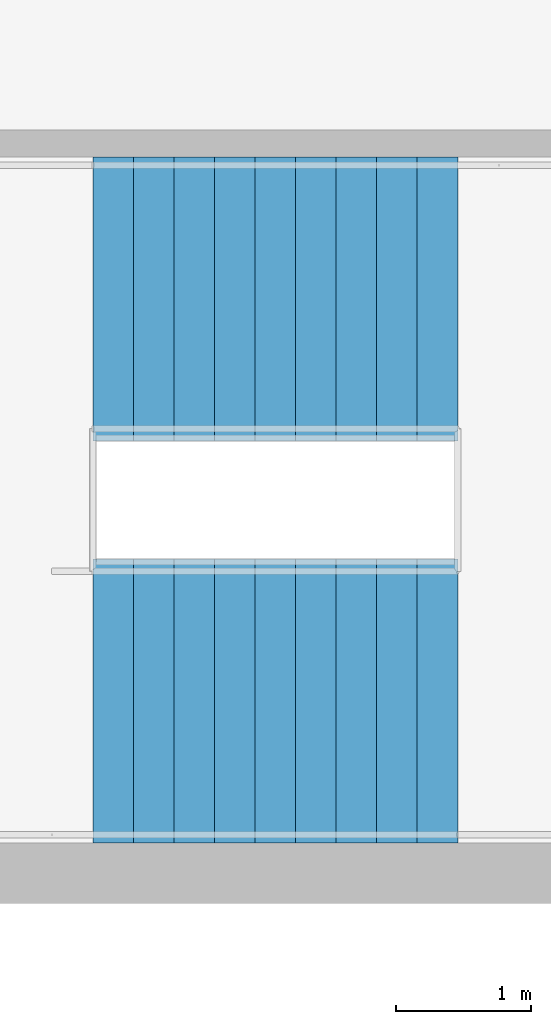
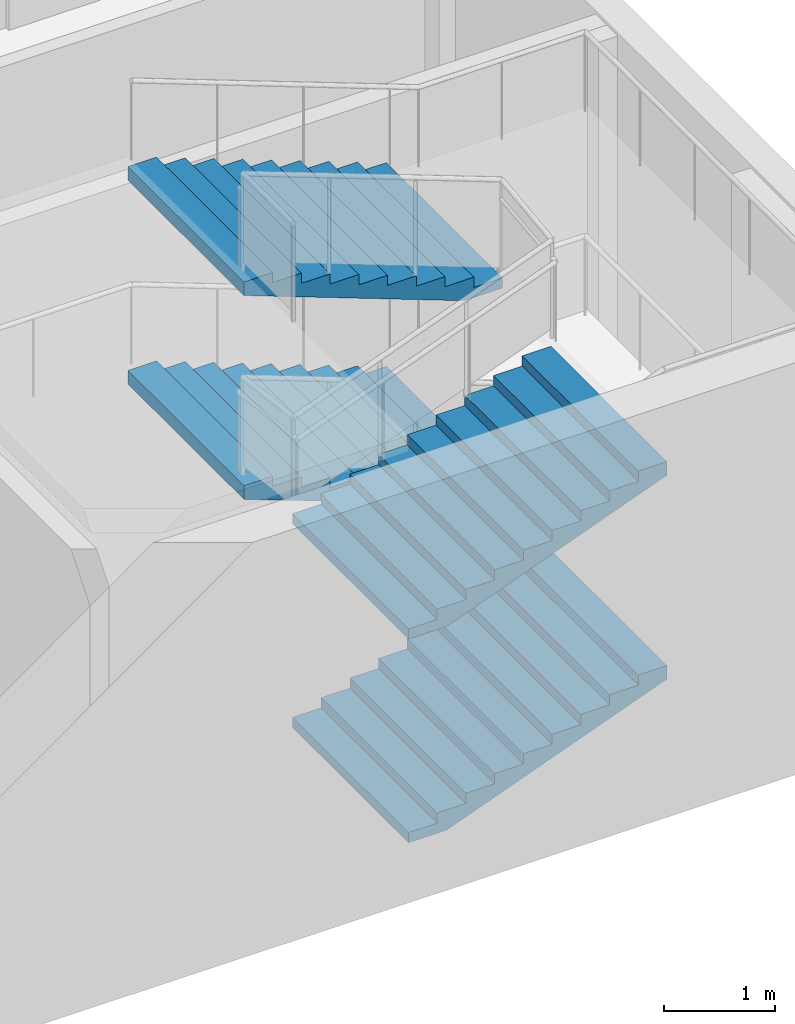
# One storey, part 47 of 64: 4 stair flights, 1 element without a shape of its own.
"""IFC4 building model written with IfcOpenShell, lengths in metres."""

from ifc_helpers import new_model, si_unit, direction, frame, origin, place, context, subcontext, project, spatial, faceted_brep, material, type_object, element, aggregate, save


model = new_model("IFC4")

# Units and contexts
model_context = context("Model", 3, precision=1e-05, world=origin(), true_north=direction((0.0, 1.0)))
body_context = subcontext(model_context, "Body", "Model", "MODEL_VIEW")
ifc_project = project(units=[si_unit("LENGTHUNIT", "METRE"), si_unit("AREAUNIT", "SQUARE_METRE"), si_unit("VOLUMEUNIT", "CUBIC_METRE"), si_unit("PLANEANGLEUNIT", "RADIAN"), si_unit("MASSUNIT", "GRAM", prefix="KILO")], contexts=[model_context])

# Site, building, storey
site_placement = place(None, origin())
site = spatial("IfcSite", under=ifc_project, at=site_placement, CompositionType="ELEMENT")
building_placement = place(site_placement, origin())
building = spatial("IfcBuilding", under=site, at=building_placement, Name="Rulbaag Community and Learning Centre", CompositionType="ELEMENT")
storey_placement = place(building_placement, frame((0.0, 0.0, 5.39990234375)))
storey = spatial("IfcBuildingStorey", under=building, at=storey_placement, Name="L01", CompositionType="ELEMENT", Elevation=5.39990234375)

# Stair, stair flights
ifc_material = material(Name="Concrete M40", Category="concrete")
stair_type = type_object("IfcStairType", Name="ST-2100 STAIR 2100 WIDE", PredefinedType="HALF_TURN_STAIR", material=ifc_material)
stair_placement = place(storey_placement, origin())
stair = element("IfcStair", 1, at=stair_placement, inside=storey, type_object=stair_type, Name="Stair ST-H10 L01", PredefinedType="HALF_TURN_STAIR")
stair_flight_type = type_object("IfcStairFlightType", Name="FL-2100 FLIGHT 2100 WIDE Concrete M40", PredefinedType="STRAIGHT", material=ifc_material)
stair_flight_1_placement = place(storey_placement, frame((162.824951171875, 1.27490234375, 0.0), z_axis=(0.0, 0.0, 1.0), x_axis=(1.0, 0.0, 0.0)))
stair_flight_1 = element("IfcStairFlight", 2, at=stair_flight_1_placement, type_object=stair_flight_type, Name="ST-H10 flight 1", NumberOfRisers=10, NumberOfTreads=9, PredefinedType="STRAIGHT", RiserHeight=0.1125, TreadLength=0.3, context=body_context, shape_type="Brep", body=[
    faceted_brep([(0.3984375, -1.050048828125, 0.0), (2.699951171875, -1.050048828125, 0.863037109375), (2.699951171875, -1.050048828125, 1.012451171875), (2.39990234375, -1.050048828125, 1.012451171875), (2.39990234375, -1.050048828125, 0.89990234375), (2.10009765625, -1.050048828125, 0.89990234375), (2.10009765625, -1.050048828125, 0.78759765625), (1.800048828125, -1.050048828125, 0.78759765625), (1.800048828125, -1.050048828125, 0.675048828125), (1.5, -1.050048828125, 0.675048828125), (1.5, -1.050048828125, 0.5625), (1.199951171875, -1.050048828125, 0.5625), (1.199951171875, -1.050048828125, 0.449951171875), (0.89990234375, -1.050048828125, 0.449951171875), (0.89990234375, -1.050048828125, 0.33740234375), (0.60009765625, -1.050048828125, 0.33740234375), (0.60009765625, -1.050048828125, 0.22509765625), (0.300048828125, -1.050048828125, 0.22509765625), (0.300048828125, -1.050048828125, 0.112548828125), (0.0, -1.050048828125, 0.112548828125), (0.0, -1.050048828125, 0.0), (0.0, 1.050048828125, 0.0), (0.0, 1.050048828125, 0.112548828125), (0.300048828125, 1.050048828125, 0.112548828125), (0.300048828125, 1.050048828125, 0.22509765625), (0.60009765625, 1.050048828125, 0.22509765625), (0.60009765625, 1.050048828125, 0.33740234375), (0.89990234375, 1.050048828125, 0.33740234375), (0.89990234375, 1.050048828125, 0.449951171875), (1.199951171875, 1.050048828125, 0.449951171875), (1.199951171875, 1.050048828125, 0.5625), (1.5, 1.050048828125, 0.5625), (1.5, 1.050048828125, 0.675048828125), (1.800048828125, 1.050048828125, 0.675048828125), (1.800048828125, 1.050048828125, 0.78759765625), (2.10009765625, 1.050048828125, 0.78759765625), (2.10009765625, 1.050048828125, 0.89990234375), (2.39990234375, 1.050048828125, 0.89990234375), (2.39990234375, 1.050048828125, 1.012451171875), (2.699951171875, 1.050048828125, 1.012451171875), (2.699951171875, 1.050048828125, 0.863037109375), (0.3984375, 1.050048828125, 0.0), (0.0, -0.52490234375, 0.112548828125), (0.0, -0.52490234375, 0.0), (0.0, 0.0, 0.112548828125), (0.0, 0.0, 0.0), (0.0, 0.52490234375, 0.112548828125), (0.0, 0.52490234375, 0.0), (0.300048828125, -0.52490234375, 0.112548828125), (0.300048828125, 0.0, 0.112548828125), (0.300048828125, 0.52490234375, 0.112548828125), (0.300048828125, -0.52490234375, 0.22509765625), (0.300048828125, 0.0, 0.22509765625), (0.300048828125, 0.52490234375, 0.22509765625), (0.60009765625, -0.52490234375, 0.22509765625), (0.60009765625, 0.0, 0.22509765625), (0.60009765625, 0.52490234375, 0.22509765625), (0.60009765625, -0.52490234375, 0.33740234375), (0.60009765625, 0.0, 0.33740234375), (0.60009765625, 0.52490234375, 0.33740234375), (0.89990234375, -0.52490234375, 0.33740234375), (0.89990234375, 0.0, 0.33740234375), (0.89990234375, 0.52490234375, 0.33740234375), (0.89990234375, -0.52490234375, 0.449951171875), (0.89990234375, 0.0, 0.449951171875), (0.89990234375, 0.52490234375, 0.449951171875), (1.199951171875, -0.52490234375, 0.449951171875), (1.199951171875, 0.0, 0.449951171875), (1.199951171875, 0.52490234375, 0.449951171875), (1.199951171875, -0.52490234375, 0.5625), (1.199951171875, 0.0, 0.5625), (1.199951171875, 0.52490234375, 0.5625), (1.5, -0.52490234375, 0.5625), (1.5, 0.0, 0.5625), (1.5, 0.52490234375, 0.5625), (1.5, -0.52490234375, 0.675048828125), (1.5, 0.0, 0.675048828125), (1.5, 0.52490234375, 0.675048828125), (1.800048828125, -0.52490234375, 0.675048828125), (1.800048828125, 0.0, 0.675048828125), (1.800048828125, 0.52490234375, 0.675048828125), (1.800048828125, -0.52490234375, 0.78759765625), (1.800048828125, 0.0, 0.78759765625), (1.800048828125, 0.52490234375, 0.78759765625), (2.10009765625, -0.52490234375, 0.78759765625), (2.10009765625, 0.0, 0.78759765625), (2.10009765625, 0.52490234375, 0.78759765625), (2.10009765625, -0.52490234375, 0.89990234375), (2.10009765625, 0.0, 0.89990234375), (2.10009765625, 0.52490234375, 0.89990234375), (2.39990234375, -0.52490234375, 0.89990234375), (2.39990234375, 0.0, 0.89990234375), (2.39990234375, 0.52490234375, 0.89990234375), (2.39990234375, -0.52490234375, 1.012451171875), (2.39990234375, 0.0, 1.012451171875), (2.39990234375, 0.52490234375, 1.012451171875), (2.699951171875, -0.52490234375, 1.012451171875), (2.699951171875, 0.0, 1.012451171875), (2.699951171875, 0.52490234375, 1.012451171875), (2.699951171875, -0.52490234375, 0.863037109375), (2.699951171875, 0.0, 0.863037109375), (2.699951171875, 0.52490234375, 0.863037109375), (0.3984375, -0.52490234375, 0.0), (0.3984375, 0.0, 0.0), (0.3984375, 0.52490234375, 0.0)], [[[0, 1, 2, 3, 4, 5, 6, 7, 8, 9, 10, 11, 12, 13, 14, 15, 16, 17, 18, 19, 20]], [[21, 22, 23, 24, 25, 26, 27, 28, 29, 30, 31, 32, 33, 34, 35, 36, 37, 38, 39, 40, 41]], [[20, 19, 42, 43]], [[43, 42, 44, 45]], [[45, 44, 46, 47]], [[47, 46, 22, 21]], [[19, 18, 48, 42]], [[42, 48, 49, 44]], [[44, 49, 50, 46]], [[46, 50, 23, 22]], [[18, 17, 51, 48]], [[48, 51, 52, 49]], [[49, 52, 53, 50]], [[50, 53, 24, 23]], [[17, 16, 54, 51]], [[51, 54, 55, 52]], [[52, 55, 56, 53]], [[53, 56, 25, 24]], [[16, 15, 57, 54]], [[54, 57, 58, 55]], [[55, 58, 59, 56]], [[56, 59, 26, 25]], [[15, 14, 60, 57]], [[57, 60, 61, 58]], [[58, 61, 62, 59]], [[59, 62, 27, 26]], [[14, 13, 63, 60]], [[60, 63, 64, 61]], [[61, 64, 65, 62]], [[62, 65, 28, 27]], [[13, 12, 66, 63]], [[63, 66, 67, 64]], [[64, 67, 68, 65]], [[65, 68, 29, 28]], [[12, 11, 69, 66]], [[66, 69, 70, 67]], [[67, 70, 71, 68]], [[68, 71, 30, 29]], [[11, 10, 72, 69]], [[69, 72, 73, 70]], [[70, 73, 74, 71]], [[71, 74, 31, 30]], [[10, 9, 75, 72]], [[72, 75, 76, 73]], [[73, 76, 77, 74]], [[74, 77, 32, 31]], [[9, 8, 78, 75]], [[75, 78, 79, 76]], [[76, 79, 80, 77]], [[77, 80, 33, 32]], [[8, 7, 81, 78]], [[78, 81, 82, 79]], [[79, 82, 83, 80]], [[80, 83, 34, 33]], [[7, 6, 84, 81]], [[81, 84, 85, 82]], [[82, 85, 86, 83]], [[83, 86, 35, 34]], [[6, 5, 87, 84]], [[84, 87, 88, 85]], [[85, 88, 89, 86]], [[86, 89, 36, 35]], [[5, 4, 90, 87]], [[87, 90, 91, 88]], [[88, 91, 92, 89]], [[89, 92, 37, 36]], [[4, 3, 93, 90]], [[90, 93, 94, 91]], [[91, 94, 95, 92]], [[92, 95, 38, 37]], [[3, 2, 96, 93]], [[93, 96, 97, 94]], [[94, 97, 98, 95]], [[95, 98, 39, 38]], [[2, 1, 99, 96]], [[96, 99, 100, 97]], [[97, 100, 101, 98]], [[98, 101, 40, 39]], [[1, 0, 102, 99]], [[99, 102, 103, 100]], [[100, 103, 104, 101]], [[101, 104, 41, 40]], [[0, 20, 43, 102]], [[102, 43, 45, 103]], [[103, 45, 47, 104]], [[104, 47, 21, 41]]]),
])
stair_flight_2_placement = place(storey_placement, frame((165.52490234375, 4.25, 1.125), z_axis=(0.0, 0.0, 1.0), x_axis=(-1.0, 0.0, 0.0)))
stair_flight_2 = element("IfcStairFlight", 3, at=stair_flight_2_placement, type_object=stair_flight_type, Name="ST-H10 flight 2", NumberOfRisers=10, NumberOfTreads=9, PredefinedType="STRAIGHT", RiserHeight=0.1125, TreadLength=0.3, context=body_context, shape_type="Brep", body=[
    faceted_brep([(0.3984375, -1.050048828125, 0.0), (2.699951171875, -1.050048828125, 0.863037109375), (2.699951171875, -1.050048828125, 1.012451171875), (2.39990234375, -1.050048828125, 1.012451171875), (2.39990234375, -1.050048828125, 0.89990234375), (2.10009765625, -1.050048828125, 0.89990234375), (2.10009765625, -1.050048828125, 0.78759765625), (1.800048828125, -1.050048828125, 0.78759765625), (1.800048828125, -1.050048828125, 0.675048828125), (1.5, -1.050048828125, 0.675048828125), (1.5, -1.050048828125, 0.5625), (1.199951171875, -1.050048828125, 0.5625), (1.199951171875, -1.050048828125, 0.449951171875), (0.89990234375, -1.050048828125, 0.449951171875), (0.89990234375, -1.050048828125, 0.33740234375), (0.60009765625, -1.050048828125, 0.33740234375), (0.60009765625, -1.050048828125, 0.22509765625), (0.300048828125, -1.050048828125, 0.22509765625), (0.300048828125, -1.050048828125, 0.112548828125), (0.0, -1.050048828125, 0.112548828125), (0.0, -1.050048828125, 0.0), (0.0, 1.050048828125, 0.0), (0.0, 1.050048828125, 0.112548828125), (0.300048828125, 1.050048828125, 0.112548828125), (0.300048828125, 1.050048828125, 0.22509765625), (0.60009765625, 1.050048828125, 0.22509765625), (0.60009765625, 1.050048828125, 0.33740234375), (0.89990234375, 1.050048828125, 0.33740234375), (0.89990234375, 1.050048828125, 0.449951171875), (1.199951171875, 1.050048828125, 0.449951171875), (1.199951171875, 1.050048828125, 0.5625), (1.5, 1.050048828125, 0.5625), (1.5, 1.050048828125, 0.675048828125), (1.800048828125, 1.050048828125, 0.675048828125), (1.800048828125, 1.050048828125, 0.78759765625), (2.10009765625, 1.050048828125, 0.78759765625), (2.10009765625, 1.050048828125, 0.89990234375), (2.39990234375, 1.050048828125, 0.89990234375), (2.39990234375, 1.050048828125, 1.012451171875), (2.699951171875, 1.050048828125, 1.012451171875), (2.699951171875, 1.050048828125, 0.863037109375), (0.3984375, 1.050048828125, 0.0), (0.0, -0.52490234375, 0.112548828125), (0.0, -0.52490234375, 0.0), (0.0, 0.0, 0.112548828125), (0.0, 0.0, 0.0), (0.0, 0.52490234375, 0.112548828125), (0.0, 0.52490234375, 0.0), (0.300048828125, -0.52490234375, 0.112548828125), (0.300048828125, 0.0, 0.112548828125), (0.300048828125, 0.52490234375, 0.112548828125), (0.300048828125, -0.52490234375, 0.22509765625), (0.300048828125, 0.0, 0.22509765625), (0.300048828125, 0.52490234375, 0.22509765625), (0.60009765625, -0.52490234375, 0.22509765625), (0.60009765625, 0.0, 0.22509765625), (0.60009765625, 0.52490234375, 0.22509765625), (0.60009765625, -0.52490234375, 0.33740234375), (0.60009765625, 0.0, 0.33740234375), (0.60009765625, 0.52490234375, 0.33740234375), (0.89990234375, -0.52490234375, 0.33740234375), (0.89990234375, 0.0, 0.33740234375), (0.89990234375, 0.52490234375, 0.33740234375), (0.89990234375, -0.52490234375, 0.449951171875), (0.89990234375, 0.0, 0.449951171875), (0.89990234375, 0.52490234375, 0.449951171875), (1.199951171875, -0.52490234375, 0.449951171875), (1.199951171875, 0.0, 0.449951171875), (1.199951171875, 0.52490234375, 0.449951171875), (1.199951171875, -0.52490234375, 0.5625), (1.199951171875, 0.0, 0.5625), (1.199951171875, 0.52490234375, 0.5625), (1.5, -0.52490234375, 0.5625), (1.5, 0.0, 0.5625), (1.5, 0.52490234375, 0.5625), (1.5, -0.52490234375, 0.675048828125), (1.5, 0.0, 0.675048828125), (1.5, 0.52490234375, 0.675048828125), (1.800048828125, -0.52490234375, 0.675048828125), (1.800048828125, 0.0, 0.675048828125), (1.800048828125, 0.52490234375, 0.675048828125), (1.800048828125, -0.52490234375, 0.78759765625), (1.800048828125, 0.0, 0.78759765625), (1.800048828125, 0.52490234375, 0.78759765625), (2.10009765625, -0.52490234375, 0.78759765625), (2.10009765625, 0.0, 0.78759765625), (2.10009765625, 0.52490234375, 0.78759765625), (2.10009765625, -0.52490234375, 0.89990234375), (2.10009765625, 0.0, 0.89990234375), (2.10009765625, 0.52490234375, 0.89990234375), (2.39990234375, -0.52490234375, 0.89990234375), (2.39990234375, 0.0, 0.89990234375), (2.39990234375, 0.52490234375, 0.89990234375), (2.39990234375, -0.52490234375, 1.012451171875), (2.39990234375, 0.0, 1.012451171875), (2.39990234375, 0.52490234375, 1.012451171875), (2.699951171875, -0.52490234375, 1.012451171875), (2.699951171875, 0.0, 1.012451171875), (2.699951171875, 0.52490234375, 1.012451171875), (2.699951171875, -0.52490234375, 0.863037109375), (2.699951171875, 0.0, 0.863037109375), (2.699951171875, 0.52490234375, 0.863037109375), (0.3984375, -0.52490234375, 0.0), (0.3984375, 0.0, 0.0), (0.3984375, 0.52490234375, 0.0)], [[[0, 1, 2, 3, 4, 5, 6, 7, 8, 9, 10, 11, 12, 13, 14, 15, 16, 17, 18, 19, 20]], [[21, 22, 23, 24, 25, 26, 27, 28, 29, 30, 31, 32, 33, 34, 35, 36, 37, 38, 39, 40, 41]], [[20, 19, 42, 43]], [[43, 42, 44, 45]], [[45, 44, 46, 47]], [[47, 46, 22, 21]], [[19, 18, 48, 42]], [[42, 48, 49, 44]], [[44, 49, 50, 46]], [[46, 50, 23, 22]], [[18, 17, 51, 48]], [[48, 51, 52, 49]], [[49, 52, 53, 50]], [[50, 53, 24, 23]], [[17, 16, 54, 51]], [[51, 54, 55, 52]], [[52, 55, 56, 53]], [[53, 56, 25, 24]], [[16, 15, 57, 54]], [[54, 57, 58, 55]], [[55, 58, 59, 56]], [[56, 59, 26, 25]], [[15, 14, 60, 57]], [[57, 60, 61, 58]], [[58, 61, 62, 59]], [[59, 62, 27, 26]], [[14, 13, 63, 60]], [[60, 63, 64, 61]], [[61, 64, 65, 62]], [[62, 65, 28, 27]], [[13, 12, 66, 63]], [[63, 66, 67, 64]], [[64, 67, 68, 65]], [[65, 68, 29, 28]], [[12, 11, 69, 66]], [[66, 69, 70, 67]], [[67, 70, 71, 68]], [[68, 71, 30, 29]], [[11, 10, 72, 69]], [[69, 72, 73, 70]], [[70, 73, 74, 71]], [[71, 74, 31, 30]], [[10, 9, 75, 72]], [[72, 75, 76, 73]], [[73, 76, 77, 74]], [[74, 77, 32, 31]], [[9, 8, 78, 75]], [[75, 78, 79, 76]], [[76, 79, 80, 77]], [[77, 80, 33, 32]], [[8, 7, 81, 78]], [[78, 81, 82, 79]], [[79, 82, 83, 80]], [[80, 83, 34, 33]], [[7, 6, 84, 81]], [[81, 84, 85, 82]], [[82, 85, 86, 83]], [[83, 86, 35, 34]], [[6, 5, 87, 84]], [[84, 87, 88, 85]], [[85, 88, 89, 86]], [[86, 89, 36, 35]], [[5, 4, 90, 87]], [[87, 90, 91, 88]], [[88, 91, 92, 89]], [[89, 92, 37, 36]], [[4, 3, 93, 90]], [[90, 93, 94, 91]], [[91, 94, 95, 92]], [[92, 95, 38, 37]], [[3, 2, 96, 93]], [[93, 96, 97, 94]], [[94, 97, 98, 95]], [[95, 98, 39, 38]], [[2, 1, 99, 96]], [[96, 99, 100, 97]], [[97, 100, 101, 98]], [[98, 101, 40, 39]], [[1, 0, 102, 99]], [[99, 102, 103, 100]], [[100, 103, 104, 101]], [[101, 104, 41, 40]], [[0, 20, 43, 102]], [[102, 43, 45, 103]], [[103, 45, 47, 104]], [[104, 47, 21, 41]]]),
])
stair_flight_3_placement = place(storey_placement, frame((162.824951171875, 1.27490234375, 2.25), z_axis=(0.0, 0.0, 1.0), x_axis=(1.0, 0.0, 0.0)))
stair_flight_3 = element("IfcStairFlight", 4, at=stair_flight_3_placement, type_object=stair_flight_type, Name="ST-H10 flight 3", NumberOfRisers=10, NumberOfTreads=9, PredefinedType="STRAIGHT", RiserHeight=0.1125, TreadLength=0.3, context=body_context, shape_type="Brep", body=[
    faceted_brep([(0.3984375, -1.050048828125, 0.0), (2.699951171875, -1.050048828125, 0.863037109375), (2.699951171875, -1.050048828125, 1.012451171875), (2.39990234375, -1.050048828125, 1.012451171875), (2.39990234375, -1.050048828125, 0.89990234375), (2.10009765625, -1.050048828125, 0.89990234375), (2.10009765625, -1.050048828125, 0.78759765625), (1.800048828125, -1.050048828125, 0.78759765625), (1.800048828125, -1.050048828125, 0.675048828125), (1.5, -1.050048828125, 0.675048828125), (1.5, -1.050048828125, 0.5625), (1.199951171875, -1.050048828125, 0.5625), (1.199951171875, -1.050048828125, 0.449951171875), (0.89990234375, -1.050048828125, 0.449951171875), (0.89990234375, -1.050048828125, 0.33740234375), (0.60009765625, -1.050048828125, 0.33740234375), (0.60009765625, -1.050048828125, 0.22509765625), (0.300048828125, -1.050048828125, 0.22509765625), (0.300048828125, -1.050048828125, 0.112548828125), (0.0, -1.050048828125, 0.112548828125), (0.0, -1.050048828125, 0.0), (0.0, 1.050048828125, 0.0), (0.0, 1.050048828125, 0.112548828125), (0.300048828125, 1.050048828125, 0.112548828125), (0.300048828125, 1.050048828125, 0.22509765625), (0.60009765625, 1.050048828125, 0.22509765625), (0.60009765625, 1.050048828125, 0.33740234375), (0.89990234375, 1.050048828125, 0.33740234375), (0.89990234375, 1.050048828125, 0.449951171875), (1.199951171875, 1.050048828125, 0.449951171875), (1.199951171875, 1.050048828125, 0.5625), (1.5, 1.050048828125, 0.5625), (1.5, 1.050048828125, 0.675048828125), (1.800048828125, 1.050048828125, 0.675048828125), (1.800048828125, 1.050048828125, 0.78759765625), (2.10009765625, 1.050048828125, 0.78759765625), (2.10009765625, 1.050048828125, 0.89990234375), (2.39990234375, 1.050048828125, 0.89990234375), (2.39990234375, 1.050048828125, 1.012451171875), (2.699951171875, 1.050048828125, 1.012451171875), (2.699951171875, 1.050048828125, 0.863037109375), (0.3984375, 1.050048828125, 0.0), (0.0, -0.52490234375, 0.112548828125), (0.0, -0.52490234375, 0.0), (0.0, 0.0, 0.112548828125), (0.0, 0.0, 0.0), (0.0, 0.52490234375, 0.112548828125), (0.0, 0.52490234375, 0.0), (0.300048828125, -0.52490234375, 0.112548828125), (0.300048828125, 0.0, 0.112548828125), (0.300048828125, 0.52490234375, 0.112548828125), (0.300048828125, -0.52490234375, 0.22509765625), (0.300048828125, 0.0, 0.22509765625), (0.300048828125, 0.52490234375, 0.22509765625), (0.60009765625, -0.52490234375, 0.22509765625), (0.60009765625, 0.0, 0.22509765625), (0.60009765625, 0.52490234375, 0.22509765625), (0.60009765625, -0.52490234375, 0.33740234375), (0.60009765625, 0.0, 0.33740234375), (0.60009765625, 0.52490234375, 0.33740234375), (0.89990234375, -0.52490234375, 0.33740234375), (0.89990234375, 0.0, 0.33740234375), (0.89990234375, 0.52490234375, 0.33740234375), (0.89990234375, -0.52490234375, 0.449951171875), (0.89990234375, 0.0, 0.449951171875), (0.89990234375, 0.52490234375, 0.449951171875), (1.199951171875, -0.52490234375, 0.449951171875), (1.199951171875, 0.0, 0.449951171875), (1.199951171875, 0.52490234375, 0.449951171875), (1.199951171875, -0.52490234375, 0.5625), (1.199951171875, 0.0, 0.5625), (1.199951171875, 0.52490234375, 0.5625), (1.5, -0.52490234375, 0.5625), (1.5, 0.0, 0.5625), (1.5, 0.52490234375, 0.5625), (1.5, -0.52490234375, 0.675048828125), (1.5, 0.0, 0.675048828125), (1.5, 0.52490234375, 0.675048828125), (1.800048828125, -0.52490234375, 0.675048828125), (1.800048828125, 0.0, 0.675048828125), (1.800048828125, 0.52490234375, 0.675048828125), (1.800048828125, -0.52490234375, 0.78759765625), (1.800048828125, 0.0, 0.78759765625), (1.800048828125, 0.52490234375, 0.78759765625), (2.10009765625, -0.52490234375, 0.78759765625), (2.10009765625, 0.0, 0.78759765625), (2.10009765625, 0.52490234375, 0.78759765625), (2.10009765625, -0.52490234375, 0.89990234375), (2.10009765625, 0.0, 0.89990234375), (2.10009765625, 0.52490234375, 0.89990234375), (2.39990234375, -0.52490234375, 0.89990234375), (2.39990234375, 0.0, 0.89990234375), (2.39990234375, 0.52490234375, 0.89990234375), (2.39990234375, -0.52490234375, 1.012451171875), (2.39990234375, 0.0, 1.012451171875), (2.39990234375, 0.52490234375, 1.012451171875), (2.699951171875, -0.52490234375, 1.012451171875), (2.699951171875, 0.0, 1.012451171875), (2.699951171875, 0.52490234375, 1.012451171875), (2.699951171875, -0.52490234375, 0.863037109375), (2.699951171875, 0.0, 0.863037109375), (2.699951171875, 0.52490234375, 0.863037109375), (0.3984375, -0.52490234375, 0.0), (0.3984375, 0.0, 0.0), (0.3984375, 0.52490234375, 0.0)], [[[0, 1, 2, 3, 4, 5, 6, 7, 8, 9, 10, 11, 12, 13, 14, 15, 16, 17, 18, 19, 20]], [[21, 22, 23, 24, 25, 26, 27, 28, 29, 30, 31, 32, 33, 34, 35, 36, 37, 38, 39, 40, 41]], [[20, 19, 42, 43]], [[43, 42, 44, 45]], [[45, 44, 46, 47]], [[47, 46, 22, 21]], [[19, 18, 48, 42]], [[42, 48, 49, 44]], [[44, 49, 50, 46]], [[46, 50, 23, 22]], [[18, 17, 51, 48]], [[48, 51, 52, 49]], [[49, 52, 53, 50]], [[50, 53, 24, 23]], [[17, 16, 54, 51]], [[51, 54, 55, 52]], [[52, 55, 56, 53]], [[53, 56, 25, 24]], [[16, 15, 57, 54]], [[54, 57, 58, 55]], [[55, 58, 59, 56]], [[56, 59, 26, 25]], [[15, 14, 60, 57]], [[57, 60, 61, 58]], [[58, 61, 62, 59]], [[59, 62, 27, 26]], [[14, 13, 63, 60]], [[60, 63, 64, 61]], [[61, 64, 65, 62]], [[62, 65, 28, 27]], [[13, 12, 66, 63]], [[63, 66, 67, 64]], [[64, 67, 68, 65]], [[65, 68, 29, 28]], [[12, 11, 69, 66]], [[66, 69, 70, 67]], [[67, 70, 71, 68]], [[68, 71, 30, 29]], [[11, 10, 72, 69]], [[69, 72, 73, 70]], [[70, 73, 74, 71]], [[71, 74, 31, 30]], [[10, 9, 75, 72]], [[72, 75, 76, 73]], [[73, 76, 77, 74]], [[74, 77, 32, 31]], [[9, 8, 78, 75]], [[75, 78, 79, 76]], [[76, 79, 80, 77]], [[77, 80, 33, 32]], [[8, 7, 81, 78]], [[78, 81, 82, 79]], [[79, 82, 83, 80]], [[80, 83, 34, 33]], [[7, 6, 84, 81]], [[81, 84, 85, 82]], [[82, 85, 86, 83]], [[83, 86, 35, 34]], [[6, 5, 87, 84]], [[84, 87, 88, 85]], [[85, 88, 89, 86]], [[86, 89, 36, 35]], [[5, 4, 90, 87]], [[87, 90, 91, 88]], [[88, 91, 92, 89]], [[89, 92, 37, 36]], [[4, 3, 93, 90]], [[90, 93, 94, 91]], [[91, 94, 95, 92]], [[92, 95, 38, 37]], [[3, 2, 96, 93]], [[93, 96, 97, 94]], [[94, 97, 98, 95]], [[95, 98, 39, 38]], [[2, 1, 99, 96]], [[96, 99, 100, 97]], [[97, 100, 101, 98]], [[98, 101, 40, 39]], [[1, 0, 102, 99]], [[99, 102, 103, 100]], [[100, 103, 104, 101]], [[101, 104, 41, 40]], [[0, 20, 43, 102]], [[102, 43, 45, 103]], [[103, 45, 47, 104]], [[104, 47, 21, 41]]]),
])
stair_flight_4_placement = place(storey_placement, frame((165.52490234375, 4.25, 3.375), z_axis=(0.0, 0.0, 1.0), x_axis=(-1.0, 0.0, 0.0)))
stair_flight_4 = element("IfcStairFlight", 5, at=stair_flight_4_placement, type_object=stair_flight_type, Name="ST-H10 flight 4", NumberOfRisers=10, NumberOfTreads=9, PredefinedType="STRAIGHT", RiserHeight=0.1125, TreadLength=0.3, context=body_context, shape_type="Brep", body=[
    faceted_brep([(0.3984375, -1.050048828125, 0.0), (2.699951171875, -1.050048828125, 0.863037109375), (2.699951171875, -1.050048828125, 1.012451171875), (2.39990234375, -1.050048828125, 1.012451171875), (2.39990234375, -1.050048828125, 0.89990234375), (2.10009765625, -1.050048828125, 0.89990234375), (2.10009765625, -1.050048828125, 0.78759765625), (1.800048828125, -1.050048828125, 0.78759765625), (1.800048828125, -1.050048828125, 0.675048828125), (1.5, -1.050048828125, 0.675048828125), (1.5, -1.050048828125, 0.5625), (1.199951171875, -1.050048828125, 0.5625), (1.199951171875, -1.050048828125, 0.449951171875), (0.89990234375, -1.050048828125, 0.449951171875), (0.89990234375, -1.050048828125, 0.33740234375), (0.60009765625, -1.050048828125, 0.33740234375), (0.60009765625, -1.050048828125, 0.22509765625), (0.300048828125, -1.050048828125, 0.22509765625), (0.300048828125, -1.050048828125, 0.112548828125), (0.0, -1.050048828125, 0.112548828125), (0.0, -1.050048828125, 0.0), (0.0, 1.050048828125, 0.0), (0.0, 1.050048828125, 0.112548828125), (0.300048828125, 1.050048828125, 0.112548828125), (0.300048828125, 1.050048828125, 0.22509765625), (0.60009765625, 1.050048828125, 0.22509765625), (0.60009765625, 1.050048828125, 0.33740234375), (0.89990234375, 1.050048828125, 0.33740234375), (0.89990234375, 1.050048828125, 0.449951171875), (1.199951171875, 1.050048828125, 0.449951171875), (1.199951171875, 1.050048828125, 0.5625), (1.5, 1.050048828125, 0.5625), (1.5, 1.050048828125, 0.675048828125), (1.800048828125, 1.050048828125, 0.675048828125), (1.800048828125, 1.050048828125, 0.78759765625), (2.10009765625, 1.050048828125, 0.78759765625), (2.10009765625, 1.050048828125, 0.89990234375), (2.39990234375, 1.050048828125, 0.89990234375), (2.39990234375, 1.050048828125, 1.012451171875), (2.699951171875, 1.050048828125, 1.012451171875), (2.699951171875, 1.050048828125, 0.863037109375), (0.3984375, 1.050048828125, 0.0), (0.0, -0.52490234375, 0.112548828125), (0.0, -0.52490234375, 0.0), (0.0, 0.0, 0.112548828125), (0.0, 0.0, 0.0), (0.0, 0.52490234375, 0.112548828125), (0.0, 0.52490234375, 0.0), (0.300048828125, -0.52490234375, 0.112548828125), (0.300048828125, 0.0, 0.112548828125), (0.300048828125, 0.52490234375, 0.112548828125), (0.300048828125, -0.52490234375, 0.22509765625), (0.300048828125, 0.0, 0.22509765625), (0.300048828125, 0.52490234375, 0.22509765625), (0.60009765625, -0.52490234375, 0.22509765625), (0.60009765625, 0.0, 0.22509765625), (0.60009765625, 0.52490234375, 0.22509765625), (0.60009765625, -0.52490234375, 0.33740234375), (0.60009765625, 0.0, 0.33740234375), (0.60009765625, 0.52490234375, 0.33740234375), (0.89990234375, -0.52490234375, 0.33740234375), (0.89990234375, 0.0, 0.33740234375), (0.89990234375, 0.52490234375, 0.33740234375), (0.89990234375, -0.52490234375, 0.449951171875), (0.89990234375, 0.0, 0.449951171875), (0.89990234375, 0.52490234375, 0.449951171875), (1.199951171875, -0.52490234375, 0.449951171875), (1.199951171875, 0.0, 0.449951171875), (1.199951171875, 0.52490234375, 0.449951171875), (1.199951171875, -0.52490234375, 0.5625), (1.199951171875, 0.0, 0.5625), (1.199951171875, 0.52490234375, 0.5625), (1.5, -0.52490234375, 0.5625), (1.5, 0.0, 0.5625), (1.5, 0.52490234375, 0.5625), (1.5, -0.52490234375, 0.675048828125), (1.5, 0.0, 0.675048828125), (1.5, 0.52490234375, 0.675048828125), (1.800048828125, -0.52490234375, 0.675048828125), (1.800048828125, 0.0, 0.675048828125), (1.800048828125, 0.52490234375, 0.675048828125), (1.800048828125, -0.52490234375, 0.78759765625), (1.800048828125, 0.0, 0.78759765625), (1.800048828125, 0.52490234375, 0.78759765625), (2.10009765625, -0.52490234375, 0.78759765625), (2.10009765625, 0.0, 0.78759765625), (2.10009765625, 0.52490234375, 0.78759765625), (2.10009765625, -0.52490234375, 0.89990234375), (2.10009765625, 0.0, 0.89990234375), (2.10009765625, 0.52490234375, 0.89990234375), (2.39990234375, -0.52490234375, 0.89990234375), (2.39990234375, 0.0, 0.89990234375), (2.39990234375, 0.52490234375, 0.89990234375), (2.39990234375, -0.52490234375, 1.012451171875), (2.39990234375, 0.0, 1.012451171875), (2.39990234375, 0.52490234375, 1.012451171875), (2.699951171875, -0.52490234375, 1.012451171875), (2.699951171875, 0.0, 1.012451171875), (2.699951171875, 0.52490234375, 1.012451171875), (2.699951171875, -0.52490234375, 0.863037109375), (2.699951171875, 0.0, 0.863037109375), (2.699951171875, 0.52490234375, 0.863037109375), (0.3984375, -0.52490234375, 0.0), (0.3984375, 0.0, 0.0), (0.3984375, 0.52490234375, 0.0)], [[[0, 1, 2, 3, 4, 5, 6, 7, 8, 9, 10, 11, 12, 13, 14, 15, 16, 17, 18, 19, 20]], [[21, 22, 23, 24, 25, 26, 27, 28, 29, 30, 31, 32, 33, 34, 35, 36, 37, 38, 39, 40, 41]], [[20, 19, 42, 43]], [[43, 42, 44, 45]], [[45, 44, 46, 47]], [[47, 46, 22, 21]], [[19, 18, 48, 42]], [[42, 48, 49, 44]], [[44, 49, 50, 46]], [[46, 50, 23, 22]], [[18, 17, 51, 48]], [[48, 51, 52, 49]], [[49, 52, 53, 50]], [[50, 53, 24, 23]], [[17, 16, 54, 51]], [[51, 54, 55, 52]], [[52, 55, 56, 53]], [[53, 56, 25, 24]], [[16, 15, 57, 54]], [[54, 57, 58, 55]], [[55, 58, 59, 56]], [[56, 59, 26, 25]], [[15, 14, 60, 57]], [[57, 60, 61, 58]], [[58, 61, 62, 59]], [[59, 62, 27, 26]], [[14, 13, 63, 60]], [[60, 63, 64, 61]], [[61, 64, 65, 62]], [[62, 65, 28, 27]], [[13, 12, 66, 63]], [[63, 66, 67, 64]], [[64, 67, 68, 65]], [[65, 68, 29, 28]], [[12, 11, 69, 66]], [[66, 69, 70, 67]], [[67, 70, 71, 68]], [[68, 71, 30, 29]], [[11, 10, 72, 69]], [[69, 72, 73, 70]], [[70, 73, 74, 71]], [[71, 74, 31, 30]], [[10, 9, 75, 72]], [[72, 75, 76, 73]], [[73, 76, 77, 74]], [[74, 77, 32, 31]], [[9, 8, 78, 75]], [[75, 78, 79, 76]], [[76, 79, 80, 77]], [[77, 80, 33, 32]], [[8, 7, 81, 78]], [[78, 81, 82, 79]], [[79, 82, 83, 80]], [[80, 83, 34, 33]], [[7, 6, 84, 81]], [[81, 84, 85, 82]], [[82, 85, 86, 83]], [[83, 86, 35, 34]], [[6, 5, 87, 84]], [[84, 87, 88, 85]], [[85, 88, 89, 86]], [[86, 89, 36, 35]], [[5, 4, 90, 87]], [[87, 90, 91, 88]], [[88, 91, 92, 89]], [[89, 92, 37, 36]], [[4, 3, 93, 90]], [[90, 93, 94, 91]], [[91, 94, 95, 92]], [[92, 95, 38, 37]], [[3, 2, 96, 93]], [[93, 96, 97, 94]], [[94, 97, 98, 95]], [[95, 98, 39, 38]], [[2, 1, 99, 96]], [[96, 99, 100, 97]], [[97, 100, 101, 98]], [[98, 101, 40, 39]], [[1, 0, 102, 99]], [[99, 102, 103, 100]], [[100, 103, 104, 101]], [[101, 104, 41, 40]], [[0, 20, 43, 102]], [[102, 43, 45, 103]], [[103, 45, 47, 104]], [[104, 47, 21, 41]]]),
])
aggregate(stair, [stair_flight_1, stair_flight_2, stair_flight_3, stair_flight_4])

save(model, "model.ifc")
